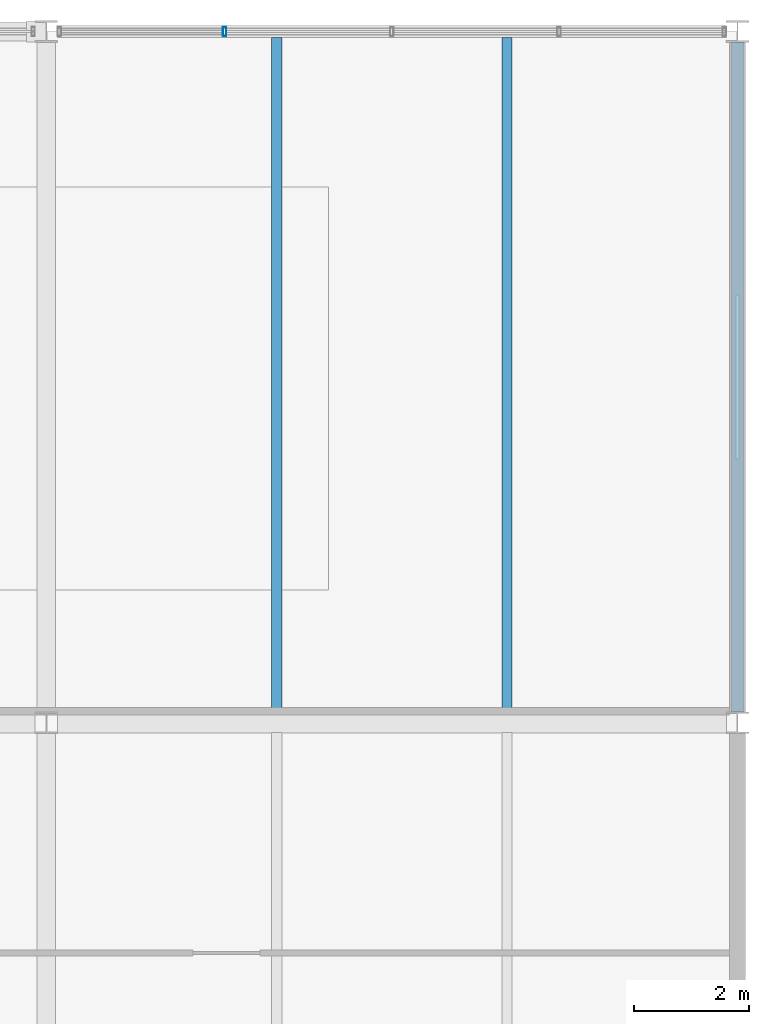
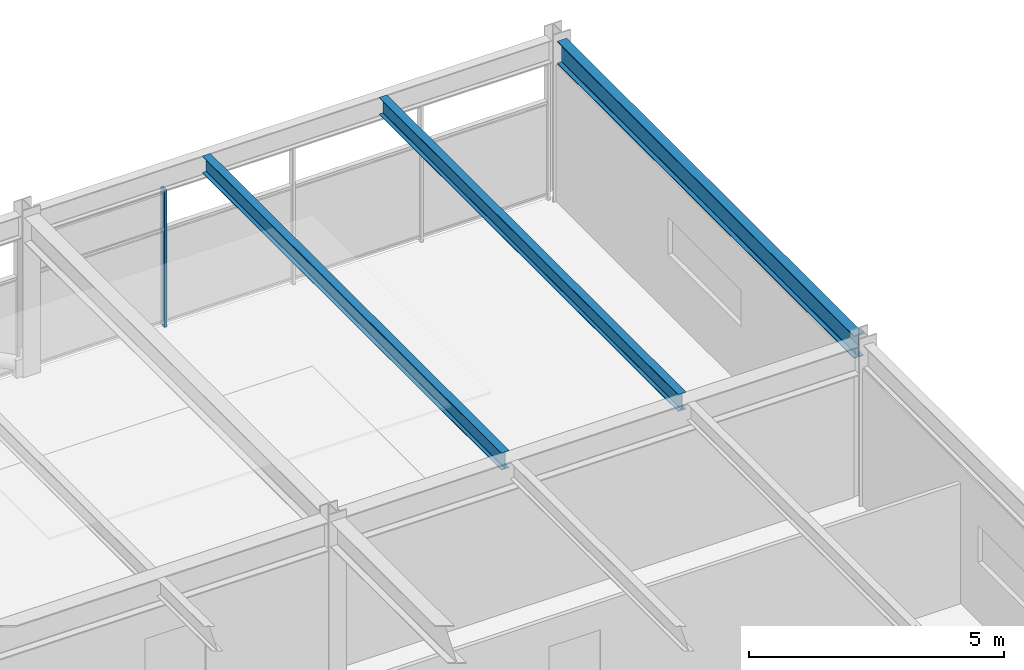
# One storey, part 40 of 51: 3 beams, 1 member, 1 element without a shape of its own.
"""IFC4 building model written with IfcOpenShell, lengths in metres."""

import ifcopenshell
import ifcopenshell.guid

model = None  # the IFC model being written
_history = None  # IfcOwnerHistory: only IFC2X3 demands one
_inside = {}  # id of a spatial element -> (the spatial element, [elements in it])
_under = {}  # id of a project, library or spatial element -> (it, [spatial elements below it])
_declared = {}  # id of a project -> (the project, [libraries it declares])
_typed = {}  # id of a type object -> (the type object, [elements of that type])
_made_of = {}  # id of a material, layer set ... -> (it, [elements and type objects made of it])


def new_model(schema):
    """Start an empty IFC model of exactly this schema.

    Asked for "IFC4X3", IfcOpenShell would pick the latest addendum, in which some entities
    have other attributes; the version numbers below select the first issue.
    IFC2X3 requires an IfcOwnerHistory on every rooted entity: one is made here for all.
    """
    global model, _history
    if schema == "IFC4X3":
        model = ifcopenshell.file(schema_version=(4, 3, 0, 0))
    else:
        model = ifcopenshell.file(schema=schema)
    _inside.clear()
    _under.clear()
    _declared.clear()
    _typed.clear()
    _made_of.clear()
    _history = None
    if model.schema == "IFC2X3":
        org = make("IfcOrganization", Name="unknown")
        user = make(
            "IfcPersonAndOrganization",
            ThePerson=make("IfcPerson", FamilyName="unknown"),
            TheOrganization=org,
        )
        app = make(
            "IfcApplication",
            ApplicationDeveloper=org,
            Version="unknown",
            ApplicationFullName="unknown",
            ApplicationIdentifier="unknown",
        )
        _history = make(
            "IfcOwnerHistory",
            OwningUser=user,
            OwningApplication=app,
            ChangeAction="ADDED",
            CreationDate=0,
        )
    return model


def make(cls, **values):
    """One entity of the class cls with the attributes given. An attribute that is None is left unset."""
    return model.create_entity(
        cls, **{name: value for name, value in values.items() if value is not None}
    )


def rooted(cls, **values):
    """An entity with a GlobalId (a new one), such as an element, a storey or a relation."""
    return make(cls, GlobalId=ifcopenshell.guid.new(), OwnerHistory=_history, **values)


def si_unit(unit_type, name, prefix=None):
    """IfcSIUnit, for example si_unit("LENGTHUNIT", "METRE", prefix="MILLI")."""
    return make("IfcSIUnit", UnitType=unit_type, Prefix=prefix, Name=name)


def assignment(units):
    """IfcUnitAssignment: the units of a project."""
    return None if units is None else make("IfcUnitAssignment", Units=units)


def point(xyz):
    """IfcCartesianPoint."""
    return None if xyz is None else make("IfcCartesianPoint", Coordinates=xyz)


def direction(xyz):
    """IfcDirection."""
    return None if xyz is None else make("IfcDirection", DirectionRatios=xyz)


def frame(location, z_axis=None, x_axis=None):
    """IfcAxis2Placement3D, a coordinate frame: its origin and axes. An axis left out is left unset."""
    return make(
        "IfcAxis2Placement3D",
        Location=point(location),
        Axis=direction(z_axis),
        RefDirection=direction(x_axis),
    )


def frame_2d(location, x_axis=None):
    """IfcAxis2Placement2D, a coordinate frame in the plane: its origin and x axis."""
    return make(
        "IfcAxis2Placement2D", Location=point(location), RefDirection=direction(x_axis)
    )


def origin():
    """The frame at (0, 0, 0) with its axes left unset."""
    return frame((0.0, 0.0, 0.0))


def origin_2d():
    """The frame at (0, 0) in the plane with its x axis left unset."""
    return frame_2d((0.0, 0.0))


def place(relative_to, where):
    """IfcLocalPlacement: puts the frame where relative to a parent placement (None: the world)."""
    return make(
        "IfcLocalPlacement", PlacementRelTo=relative_to, RelativePlacement=where
    )


def context(
    kind, dimensions, precision=None, world=None, true_north=None, identifier=None
):
    """IfcGeometricRepresentationContext, for example the 3D "Model" context."""
    return make(
        "IfcGeometricRepresentationContext",
        ContextIdentifier=identifier,
        ContextType=kind,
        CoordinateSpaceDimension=dimensions,
        Precision=precision,
        WorldCoordinateSystem=world,
        TrueNorth=true_north,
    )


def subcontext(parent, identifier, kind, view, scale=None):
    """IfcGeometricRepresentationSubContext, for example "Body" below "Model"."""
    return make(
        "IfcGeometricRepresentationSubContext",
        ContextIdentifier=identifier,
        ContextType=kind,
        ParentContext=parent,
        TargetScale=scale,
        TargetView=view,
    )


def project(units=None, contexts=None):
    """IfcProject with its units and contexts."""
    return rooted(
        "IfcProject",
        Name="project",
        RepresentationContexts=contexts,
        UnitsInContext=assignment(units),
    )


def spatial(cls, under=None, at=None, **own):
    """A site, building, storey or space (cls), placed at a placement, below another one or the project."""
    s = rooted(cls, ObjectPlacement=at, **own)
    if under is not None:
        _under.setdefault(under.id(), (under, []))[1].append(s)
    return s


def profile(cls, at=None, kind="AREA", **sizes):
    """A parametric profile (cls). Its sizes go by their IFC names, for example OverallWidth=200.0."""
    return make(cls, ProfileType=kind, Position=at, **sizes)


def hollow_rectangle(**sizes):
    """IfcRectangleHollowProfileDef."""
    return profile("IfcRectangleHollowProfileDef", **sizes)


def i_section(**sizes):
    """IfcIShapeProfileDef."""
    return profile("IfcIShapeProfileDef", **sizes)


def extrude(swept, where, along, depth):
    """IfcExtrudedAreaSolid: the profile swept, set in the frame where, extruded along a direction by depth."""
    return make(
        "IfcExtrudedAreaSolid",
        SweptArea=swept,
        Position=where,
        ExtrudedDirection=direction(along),
        Depth=depth,
    )


def shape(context_of_items, identifier, shape_type, items):
    """IfcShapeRepresentation: the items that make up one representation, for example the "Body"."""
    return make(
        "IfcShapeRepresentation",
        ContextOfItems=context_of_items,
        RepresentationIdentifier=identifier,
        RepresentationType=shape_type,
        Items=items,
    )


def material(Name=None, Category=None):
    """IfcMaterial."""
    return make("IfcMaterial", Name=Name, Category=Category)


def material_profile(
    of_material, cross_section, Name=None, Category=None, Priority=None
):
    """IfcMaterialProfile: a cross section and its material."""
    return make(
        "IfcMaterialProfile",
        Name=Name,
        Material=of_material,
        Profile=cross_section,
        Priority=Priority,
        Category=Category,
    )


def profile_set(profiles, Name=None, composite=None):
    """IfcMaterialProfileSet."""
    return make(
        "IfcMaterialProfileSet",
        Name=Name,
        MaterialProfiles=profiles,
        CompositeProfile=composite,
    )


def made_of(thing, what):
    """Note that an element or type object is made of a material, layer set ...; save() writes the relation."""
    if what is not None:
        _made_of.setdefault(what.id(), (what, []))[1].append(thing)
    return thing


def type_object(cls, material=None, **own):
    """A type object (cls), such as IfcWallType, which elements share."""
    return made_of(rooted(cls, **own), material)


def element(
    cls,
    number,
    at=None,
    inside=None,
    cuts=None,
    type_object=None,
    material=None,
    context=None,
    identifier="Body",
    shape_type=None,
    held_by="IfcProductDefinitionShape",
    body=None,
    shapes=None,
    **own,
):
    """One element of the class cls, such as IfcWall. Its Tag is "e" and its number.

    at: its placement. inside: the storey or other place that contains it. cuts: it is an
    opening in that element (IfcRelVoidsElement). A single representation is given by context,
    identifier, shape_type and body (its items); several are given by shapes. held_by: the class
    of the entity that holds the representations. save() writes the other relations.
    """
    e = rooted(cls, Tag="e%d" % number, ObjectPlacement=at, **own)
    if body is not None:
        shapes = [shape(context, identifier, shape_type, body)]
    if shapes is not None:
        e.Representation = make(held_by, Representations=shapes)
    if inside is not None:
        _inside.setdefault(inside.id(), (inside, []))[1].append(e)
    if cuts is not None:
        rooted(
            "IfcRelVoidsElement", RelatingBuildingElement=cuts, RelatedOpeningElement=e
        )
    if type_object is not None:
        _typed.setdefault(type_object.id(), (type_object, []))[1].append(e)
    return made_of(e, material)


def aggregate(whole, parts):
    """IfcRelAggregates: a whole, such as a stair, and the parts it consists of."""
    return rooted("IfcRelAggregates", RelatingObject=whole, RelatedObjects=parts)


def save(model, path):
    """Write the relations noted so far, then the file.

    IfcRelAggregates (storeys below a building ...), IfcRelContainedInSpatialStructure (elements
    in a storey), IfcRelDefinesByType, IfcRelAssociatesMaterial and IfcRelDeclares: one each for
    every whole, place, type object, material and project.
    """
    for whole, parts in _under.values():
        aggregate(whole, parts)
    for where, things in _inside.values():
        rooted(
            "IfcRelContainedInSpatialStructure",
            RelatedElements=things,
            RelatingStructure=where,
        )
    for kind, things in _typed.values():
        rooted("IfcRelDefinesByType", RelatedObjects=things, RelatingType=kind)
    for what, things in _made_of.values():
        rooted("IfcRelAssociatesMaterial", RelatedObjects=things, RelatingMaterial=what)
    for by, libraries in _declared.values():
        rooted("IfcRelDeclares", RelatingContext=by, RelatedDefinitions=libraries)
    model.write(path)


model = new_model("IFC4")

# Units and contexts
model_context = context("Model", 3, precision=1e-05, world=origin(), true_north=direction((0.0, 1.0)))
body_context = subcontext(model_context, "Body", "Model", "MODEL_VIEW")
ifc_project = project(units=[si_unit("LENGTHUNIT", "METRE"), si_unit("AREAUNIT", "SQUARE_METRE"), si_unit("VOLUMEUNIT", "CUBIC_METRE"), si_unit("PLANEANGLEUNIT", "RADIAN"), si_unit("MASSUNIT", "GRAM", prefix="KILO")], contexts=[model_context])

# Site, building, storey
site_placement = place(None, origin())
site = spatial("IfcSite", under=ifc_project, at=site_placement, CompositionType="ELEMENT")
building_placement = place(site_placement, origin())
building = spatial("IfcBuilding", under=site, at=building_placement, Name="Girod Span Mobility Hub", CompositionType="ELEMENT")
storey_placement = place(building_placement, frame((0.0, 0.0, 41.60009765625)))
storey = spatial("IfcBuildingStorey", under=building, at=storey_placement, Name="L10", CompositionType="ELEMENT", Elevation=41.60009765625)

# Beams
ifc_material_1 = material(Name="Steel A992 Grade 50", Category="steel")
ifc_material_profile_1 = material_profile(ifc_material_1, i_section(OverallWidth=0.178955078125, OverallDepth=0.409912109375, WebThickness=0.0087890625, FlangeThickness=0.014404296875, FilletRadius=0.012939453125, at=origin_2d()), Name="W16X45")
ifc_profile_set_1 = profile_set([ifc_material_profile_1], Name="Steel A992 Grade 50")
beam_type_1 = type_object("IfcBeamType", Name="BM-STL-W16X45", PredefinedType="BEAM", material=ifc_profile_set_1)
for number, where, z_axis, x_axis, name in (
    (1, (136.0, 57.174560546875, 3.619873046875), (0.0, 1.0, 0.0), (-1.0, 0.0, 0.0), "Composite Floorbeam 12/E-1 L10"),
    (2, (140.0, 57.174560546875, 3.619873046875), (0.0, 1.0, 0.0), (-1.0, 0.0, 0.0), "Composite Floorbeam 12/E-2 L10"),
):
    element("IfcBeam", number, at=place(storey_placement, frame(where, z_axis=z_axis, x_axis=x_axis)), inside=storey, type_object=beam_type_1, Name=name, PredefinedType="BEAM", context=body_context, shape_type="SweptSolid", body=[
        extrude(i_section(OverallWidth=0.178955078125, OverallDepth=0.409912109375, WebThickness=0.0087890625, FlangeThickness=0.014404296875, FilletRadius=0.012939453125, at=origin_2d()), origin(), (0.0, 0.0, 1.0), 11.722412109375),
    ])
ifc_material_2 = material(Name="Steel A992 Grade 50", Category="steel")
ifc_material_profile_2 = material_profile(ifc_material_2, i_section(OverallWidth=0.2119140625, OverallDepth=0.5439453125, WebThickness=0.01318359375, FlangeThickness=0.021240234375, FilletRadius=0.014892578125, at=origin_2d()), Name="W21X83")
ifc_profile_set_2 = profile_set([ifc_material_profile_2], Name="Steel A992 Grade 50")
beam_type_2 = type_object("IfcBeamType", Name="BM-STL-W21X83", PredefinedType="SPANDREL", material=ifc_profile_set_2)
beam_placement = place(storey_placement, frame((144.0, 57.1845703125, 3.552978515625), z_axis=(0.0, 1.0, 0.0), x_axis=(-1.0, 0.0, 0.0)))
element("IfcBeam", 3, at=beam_placement, inside=storey, type_object=beam_type_2, Name="Tie Girder 13/E-F L10", PredefinedType="SPANDREL", context=body_context, shape_type="SweptSolid", body=[
    extrude(i_section(OverallWidth=0.2119140625, OverallDepth=0.5439453125, WebThickness=0.01318359375, FlangeThickness=0.021240234375, FilletRadius=0.014892578125, at=origin_2d()), origin(), (0.0, 0.0, 1.0), 11.630859375),
])

# Curtain wall, member
ifc_material_3 = material(Name="Thermally Broken Anodised Aluminium", Category="aluminium")
curtain_wall_type = type_object("IfcCurtainWallType", Name="CW-1161X328", PredefinedType="USERDEFINED", material=ifc_material_3)
curtain_wall_placement = place(storey_placement, origin())
curtain_wall = element("IfcCurtainWall", 4, at=curtain_wall_placement, inside=storey, type_object=curtain_wall_type, Name="Unitised Curtain Wall CW-L10-N12 L10", ObjectType="UNITISED CURTAIN WALL", PredefinedType="USERDEFINED")
ifc_material_4 = material(Name="Thermally Broken Anodised Aluminium", Category="aluminium")
ifc_material_profile_3 = material_profile(ifc_material_4, hollow_rectangle(XDim=0.159912109375, YDim=0.06005859375, WallThickness=0.00341796875, InnerFilletRadius=0.00341796875, OuterFilletRadius=0.007080078125, at=origin_2d()), Name="CW-ML-60X160")
ifc_profile_set_3 = profile_set([ifc_material_profile_3], Name="Thermally Broken Anodised Aluminium")
member_type = type_object("IfcMemberType", Name="CWM-ML-3", PredefinedType="MULLION", material=ifc_profile_set_3)
member_placement = place(storey_placement, frame((135.097412109375, 69.0, 0.0), z_axis=(0.0, 0.0, 1.0), x_axis=(0.0, 1.0, 0.0)))
member = element("IfcMember", 5, at=member_placement, type_object=member_type, Name="Curtain Wall Mullion CW-L10-N12-M1", PredefinedType="MULLION", context=body_context, shape_type="SweptSolid", body=[
    extrude(hollow_rectangle(XDim=0.159912109375, YDim=0.06005859375, WallThickness=0.00341796875, InnerFilletRadius=0.00341796875, OuterFilletRadius=0.007080078125, at=origin_2d()), origin(), (0.0, 0.0, 1.0), 3.281005859375),
])
aggregate(curtain_wall, [member])

save(model, "model.ifc")
